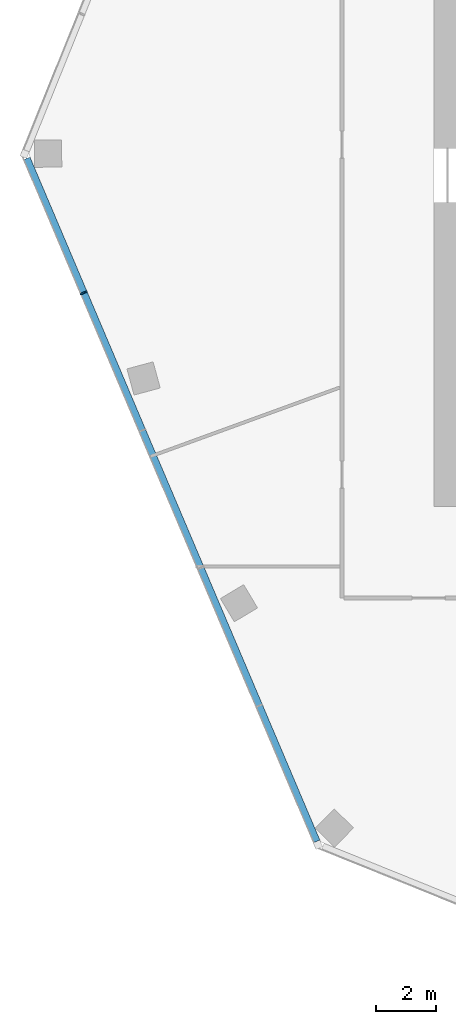
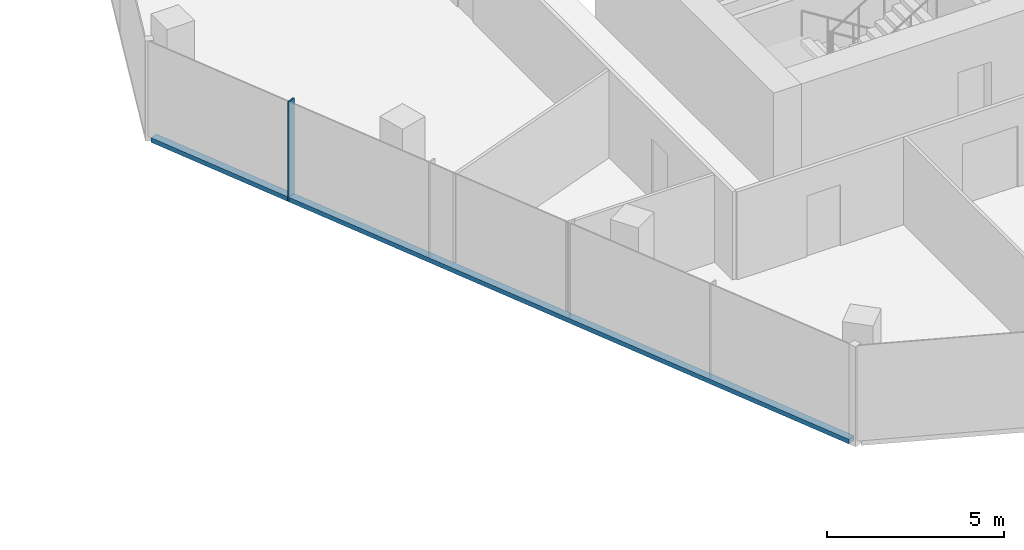
# One storey, part 3 of 17: 2 members, 1 element without a shape of its own.
"""IFC4 building model written with IfcOpenShell, lengths in metres."""

from ifc_helpers import new_model, si_unit, direction, frame, origin, origin_2d, place, context, subcontext, project, spatial, rectangle, extrude, material, material_profile, profile_set, type_object, element, aggregate, save


model = new_model("IFC4")

# Units and contexts
model_context = context("Model", 3, precision=1e-05, world=origin(), true_north=direction((0.0, 1.0)))
body_context = subcontext(model_context, "Body", "Model", "MODEL_VIEW")
ifc_project = project(units=[si_unit("LENGTHUNIT", "METRE"), si_unit("AREAUNIT", "SQUARE_METRE"), si_unit("VOLUMEUNIT", "CUBIC_METRE"), si_unit("PLANEANGLEUNIT", "RADIAN"), si_unit("MASSUNIT", "GRAM", prefix="KILO")], contexts=[model_context])

# Site, building, storey
site_placement = place(None, origin())
site = spatial("IfcSite", under=ifc_project, at=site_placement, CompositionType="ELEMENT")
building_placement = place(site_placement, origin())
building = spatial("IfcBuilding", under=site, at=building_placement, Name="Orlundy Tower", CompositionType="ELEMENT")
storey_placement = place(building_placement, frame((0.0, 0.0, 296.39990234375)))
storey = spatial("IfcBuildingStorey", under=building, at=storey_placement, Name="L79", CompositionType="ELEMENT", Elevation=296.39990234375)

# Curtain wall, members
ifc_material_1 = material(Name="Aluminium bronze anodised", Category="aluminium")
curtain_wall_type = type_object("IfcCurtainWallType", Name="CW6 wall", PredefinedType="NOTDEFINED", material=ifc_material_1)
curtain_wall_placement = place(storey_placement, origin())
curtain_wall = element("IfcCurtainWall", 1, at=curtain_wall_placement, inside=storey, type_object=curtain_wall_type, Name="CW6 run 04", PredefinedType="NOTDEFINED")
ifc_material_2 = material(Name="Aluminium bronze anodised", Category="aluminium")
ifc_material_profile_1 = material_profile(ifc_material_2, rectangle(XDim=0.239990234375, YDim=0.050048828125, at=origin_2d()), Name="CW6 mullion 50x240")
ifc_profile_set_1 = profile_set([ifc_material_profile_1], Name="Aluminium bronze anodised")
member_type_1 = type_object("IfcMemberType", Name="CW6 mullion 50x240", PredefinedType="MULLION", material=ifc_profile_set_1)
member_1_placement = place(storey_placement, frame((-30.63916015625, -4.905517578125, -0.39990234375), z_axis=(0.0, 0.0, 1.0), x_axis=(-0.920506804854, -0.390726531244, 0.0)))
member_1 = element("IfcMember", 2, at=member_1_placement, type_object=member_type_1, Name="CW6 mullion 20", PredefinedType="MULLION", context=body_context, shape_type="SweptSolid", body=[
    extrude(rectangle(XDim=0.239990234375, YDim=0.050048828125, at=origin_2d()), origin(), (0.0, 0.0, 1.0), 3.449951171875),
])
ifc_material_3 = material(Name="Aluminium bronze anodised", Category="aluminium")
ifc_material_profile_2 = material_profile(ifc_material_3, rectangle(XDim=0.239990234375, YDim=0.159912109375, at=origin_2d()), Name="CW6 transom 240x160")
ifc_profile_set_2 = profile_set([ifc_material_profile_2], Name="Aluminium bronze anodised")
member_type_2 = type_object("IfcMemberType", Name="CW6 transom 240x160", PredefinedType="USERDEFINED", material=ifc_profile_set_2)
member_2_placement = place(storey_placement, frame((-22.89794921875, -23.14306640625, -0.31982421875), z_axis=(-0.390731856881, 0.920504544268, 0.0), x_axis=(-0.920504544268, -0.390731856881, 0.0)))
member_2 = element("IfcMember", 3, at=member_2_placement, type_object=member_type_2, Name="CW6 transom", ObjectType="TRANSOM", PredefinedType="USERDEFINED", context=body_context, shape_type="SweptSolid", body=[
    extrude(rectangle(XDim=0.239990234375, YDim=0.159912109375, at=origin_2d()), origin(), (0.0, 0.0, 1.0), 24.663330078125),
])
aggregate(curtain_wall, [member_1, member_2])

save(model, "model.ifc")
